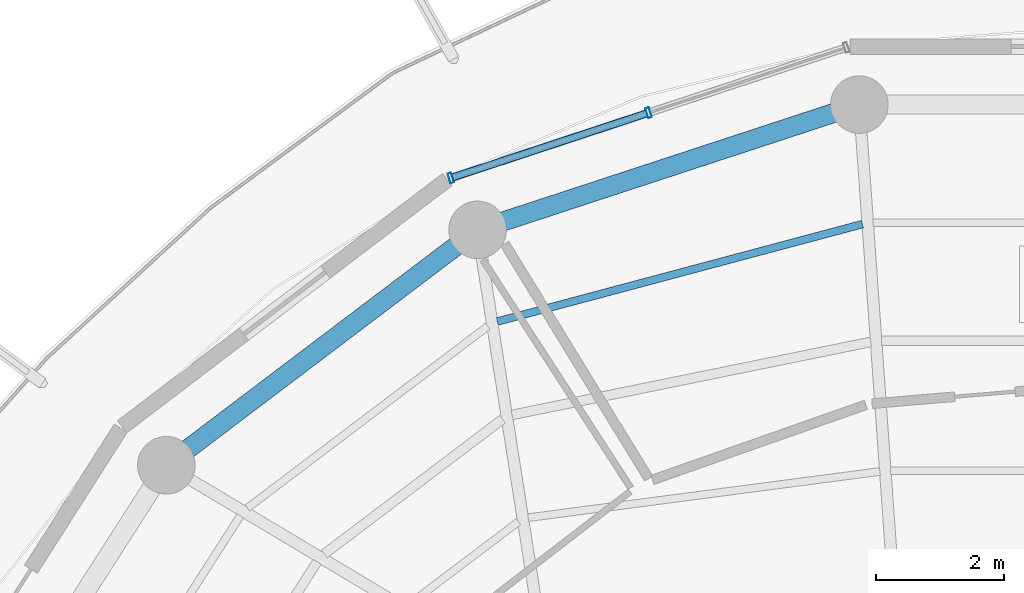
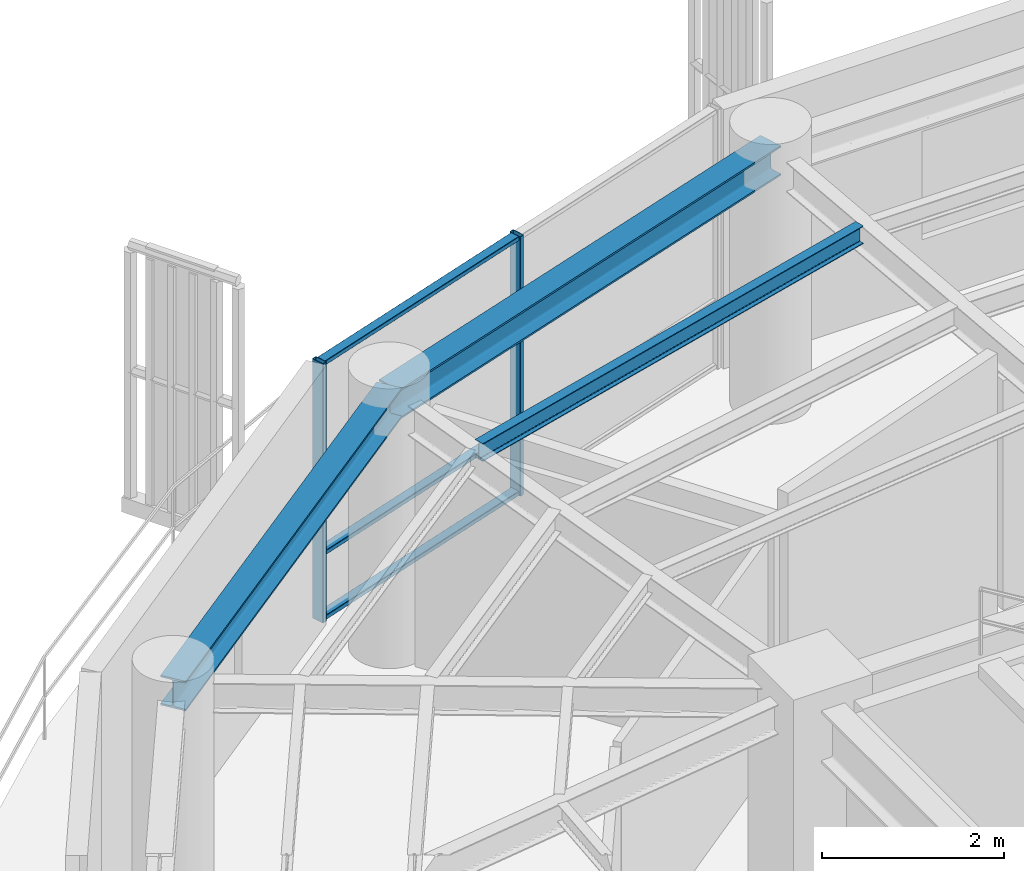
# One storey, part 11 of 22: 5 members, 3 beams, 1 element without a shape of its own.
"""IFC4 building model written with IfcOpenShell, lengths in metres."""

from ifc_helpers import new_model, si_unit, direction, frame, origin, origin_2d, place, context, subcontext, project, spatial, hollow_rectangle, i_section, extrude, material, layer, layer_set, material_profile, profile_set, type_object, element, aggregate, save


model = new_model("IFC4")

# Units and contexts
model_context = context("Model", 3, precision=1e-05, world=origin(), true_north=direction((0.0, 1.0)))
body_context = subcontext(model_context, "Body", "Model", "MODEL_VIEW")
ifc_project = project(units=[si_unit("LENGTHUNIT", "METRE"), si_unit("AREAUNIT", "SQUARE_METRE"), si_unit("VOLUMEUNIT", "CUBIC_METRE"), si_unit("PLANEANGLEUNIT", "RADIAN"), si_unit("MASSUNIT", "GRAM", prefix="KILO")], contexts=[model_context])

# Site, building, storey
site_placement = place(None, origin())
site = spatial("IfcSite", under=ifc_project, at=site_placement, CompositionType="ELEMENT")
building_placement = place(site_placement, origin())
building = spatial("IfcBuilding", under=site, at=building_placement, Name="Kelanora Arch Commons", CompositionType="ELEMENT")
storey_placement = place(building_placement, frame((0.0, 0.0, 267.449951171875)))
storey = spatial("IfcBuildingStorey", under=building, at=storey_placement, Name="L68", CompositionType="ELEMENT", Elevation=267.449951171875)

# Beams
ifc_material_1 = material(Name="Steel S355", Category="steel")
ifc_material_profile_1 = material_profile(ifc_material_1, i_section(OverallWidth=0.1201171875, OverallDepth=0.239990234375, WebThickness=0.006103515625, FlangeThickness=0.009765625, FilletRadius=0.014892578125, at=origin_2d()), Name="IPE240")
ifc_profile_set_1 = profile_set([ifc_material_profile_1], Name="Steel S355")
beam_type_1 = type_object("IfcBeamType", Name="BM-JST-02", PredefinedType="JOIST", material=ifc_profile_set_1)
beam_1_placement = place(storey_placement, frame((70.87451171875, 72.36181640625, 3.3701171875), z_axis=(-0.966190312964, -0.257829942278, 0.0), x_axis=(0.257829942278, -0.966190312964, 0.0)))
element("IfcBeam", 1, at=beam_1_placement, inside=storey, type_object=beam_type_1, Name="Secondary Chord Joist BJC-10 L68", PredefinedType="JOIST", context=body_context, shape_type="SweptSolid", body=[
    extrude(i_section(OverallWidth=0.1201171875, OverallDepth=0.239990234375, WebThickness=0.006103515625, FlangeThickness=0.009765625, FilletRadius=0.014892578125, at=origin_2d()), origin(), (0.0, 0.0, 1.0), 5.904052734375),
])
ifc_material_profile_2 = material_profile(ifc_material_1, i_section(OverallWidth=0.300048828125, OverallDepth=0.39990234375, WebThickness=0.013427734375, FlangeThickness=0.02392578125, FilletRadius=0.027099609375, at=origin_2d()), Name="HEB400")
ifc_profile_set_2 = profile_set([ifc_material_profile_2], Name="Steel S355")
beam_type_2 = type_object("IfcBeamType", Name="BM-SPN-Z4", PredefinedType="SPANDREL", material=ifc_profile_set_2)
beam_2_placement = place(storey_placement, frame((70.82568359375, 74.2294921875, 3.2900390625), z_axis=(-0.950165923039, -0.311744636996, 0.0), x_axis=(0.311744636996, -0.950165923039, 0.0)))
element("IfcBeam", 2, at=beam_2_placement, inside=storey, type_object=beam_type_2, Name="Perimeter Spandrel Beam BS-10 L68", PredefinedType="SPANDREL", context=body_context, shape_type="SweptSolid", body=[
    extrude(i_section(OverallWidth=0.300048828125, OverallDepth=0.39990234375, WebThickness=0.013427734375, FlangeThickness=0.02392578125, FilletRadius=0.027099609375, at=origin_2d()), origin(), (0.0, 0.0, 1.0), 6.278564453125),
])
beam_3_placement = place(storey_placement, frame((64.860107421875, 72.272216796875, 3.2900390625), z_axis=(-0.797509460967, -0.603306439273, 0.0), x_axis=(0.603306439273, -0.797509460967, 0.0)))
element("IfcBeam", 3, at=beam_3_placement, inside=storey, type_object=beam_type_2, Name="Perimeter Spandrel Beam BS-12 L68", PredefinedType="SPANDREL", context=body_context, shape_type="SweptSolid", body=[
    extrude(i_section(OverallWidth=0.300048828125, OverallDepth=0.39990234375, WebThickness=0.013427734375, FlangeThickness=0.02392578125, FilletRadius=0.027099609375, at=origin_2d()), origin(), (0.0, 0.0, 1.0), 6.098388671875),
])

# Curtain wall, members
ifc_material_2 = material(Name="Terracotta ceramic-fritted low-E glass and aluminium", Category="masonry")
ifc_layer = layer(ifc_material_2, 0.18994140625)
ifc_layer_set = layer_set([ifc_layer], Name="Terracotta ceramic-fritted low-E glass and aluminium")
curtain_wall_type = type_object("IfcCurtainWallType", Name="CW-SYS-03", PredefinedType="NOTDEFINED", material=ifc_layer_set)
curtain_wall_placement = place(storey_placement, origin())
curtain_wall = element("IfcCurtainWall", 4, at=curtain_wall_placement, inside=storey, type_object=curtain_wall_type, Name="Unitised Curtain Wall L68-B05", PredefinedType="NOTDEFINED")
ifc_material_3 = material(Name="Powder-coated aluminium terracotta", Category="masonry")
ifc_material_profile_3 = material_profile(ifc_material_3, hollow_rectangle(XDim=0.159912109375, YDim=0.06005859375, WallThickness=0.0048828125, InnerFilletRadius=0.0048828125, OuterFilletRadius=0.010009765625, at=origin_2d()), Name="CWM160x60")
ifc_profile_set_3 = profile_set([ifc_material_profile_3], Name="Powder-coated aluminium terracotta")
member_type_1 = type_object("IfcMemberType", Name="CWM-STD", PredefinedType="MULLION", material=ifc_profile_set_3)
member_1_placement = place(storey_placement, frame((67.532958984375, 74.102294921875, 0.0), z_axis=(0.0, 0.0, 1.0), x_axis=(0.313252785344, -0.949669780752, 0.0)))
member_1 = element("IfcMember", 5, at=member_1_placement, type_object=member_type_1, Name="CW-03 mullion 2", PredefinedType="MULLION", context=body_context, shape_type="SweptSolid", body=[
    extrude(hollow_rectangle(XDim=0.159912109375, YDim=0.06005859375, WallThickness=0.0048828125, InnerFilletRadius=0.0048828125, OuterFilletRadius=0.010009765625, at=origin_2d()), origin(), (0.0, 0.0, 1.0), 3.47509765625),
])
member_2_placement = place(storey_placement, frame((64.442626953125, 73.0830078125, 0.0), z_axis=(0.0, 0.0, 1.0), x_axis=(0.313252785344, -0.949669780752, 0.0)))
member_2 = element("IfcMember", 6, at=member_2_placement, type_object=member_type_1, Name="CW-03 mullion 3", PredefinedType="MULLION", context=body_context, shape_type="SweptSolid", body=[
    extrude(hollow_rectangle(XDim=0.159912109375, YDim=0.06005859375, WallThickness=0.0048828125, InnerFilletRadius=0.0048828125, OuterFilletRadius=0.010009765625, at=origin_2d()), origin(), (0.0, 0.0, 1.0), 3.47509765625),
])
ifc_material_profile_4 = material_profile(ifc_material_3, hollow_rectangle(XDim=0.1201171875, YDim=0.06005859375, WallThickness=0.0048828125, InnerFilletRadius=0.0048828125, OuterFilletRadius=0.010009765625, at=origin_2d()), Name="CWT120x60")
ifc_profile_set_4 = profile_set([ifc_material_profile_4], Name="Powder-coated aluminium terracotta")
member_type_2 = type_object("IfcMemberType", Name="CWT-STD", PredefinedType="USERDEFINED", material=ifc_profile_set_4)
member_3_placement = place(storey_placement, frame((67.50439453125, 74.0927734375, 0.030029296875), z_axis=(-0.949672315102, -0.313245102003, 0.0), x_axis=(0.313245102003, -0.949672315102, 0.0)))
member_3 = element("IfcMember", 7, at=member_3_placement, type_object=member_type_2, Name="CW-03 transom 2.1", ObjectType="TRANSOM", PredefinedType="USERDEFINED", context=body_context, shape_type="SweptSolid", body=[
    extrude(hollow_rectangle(XDim=0.1201171875, YDim=0.06005859375, WallThickness=0.0048828125, InnerFilletRadius=0.0048828125, OuterFilletRadius=0.010009765625, at=origin_2d()), origin(), (0.0, 0.0, 1.0), 3.19384765625),
])
member_4_placement = place(storey_placement, frame((67.50439453125, 74.0927734375, 0.900146484375), z_axis=(-0.949672315102, -0.313245102003, 0.0), x_axis=(0.313245102003, -0.949672315102, 0.0)))
member_4 = element("IfcMember", 8, at=member_4_placement, type_object=member_type_2, Name="CW-03 transom 2.2", ObjectType="TRANSOM", PredefinedType="USERDEFINED", context=body_context, shape_type="SweptSolid", body=[
    extrude(hollow_rectangle(XDim=0.1201171875, YDim=0.06005859375, WallThickness=0.0048828125, InnerFilletRadius=0.0048828125, OuterFilletRadius=0.010009765625, at=origin_2d()), origin(), (0.0, 0.0, 1.0), 3.19384765625),
])
member_5_placement = place(storey_placement, frame((67.50439453125, 74.0927734375, 3.445068359375), z_axis=(-0.949672315102, -0.313245102003, 0.0), x_axis=(0.313245102003, -0.949672315102, 0.0)))
member_5 = element("IfcMember", 9, at=member_5_placement, type_object=member_type_2, Name="CW-03 transom 2.3", ObjectType="TRANSOM", PredefinedType="USERDEFINED", context=body_context, shape_type="SweptSolid", body=[
    extrude(hollow_rectangle(XDim=0.1201171875, YDim=0.06005859375, WallThickness=0.0048828125, InnerFilletRadius=0.0048828125, OuterFilletRadius=0.010009765625, at=origin_2d()), origin(), (0.0, 0.0, 1.0), 3.19384765625),
])
aggregate(curtain_wall, [member_1, member_2, member_3, member_4, member_5])

save(model, "model.ifc")
